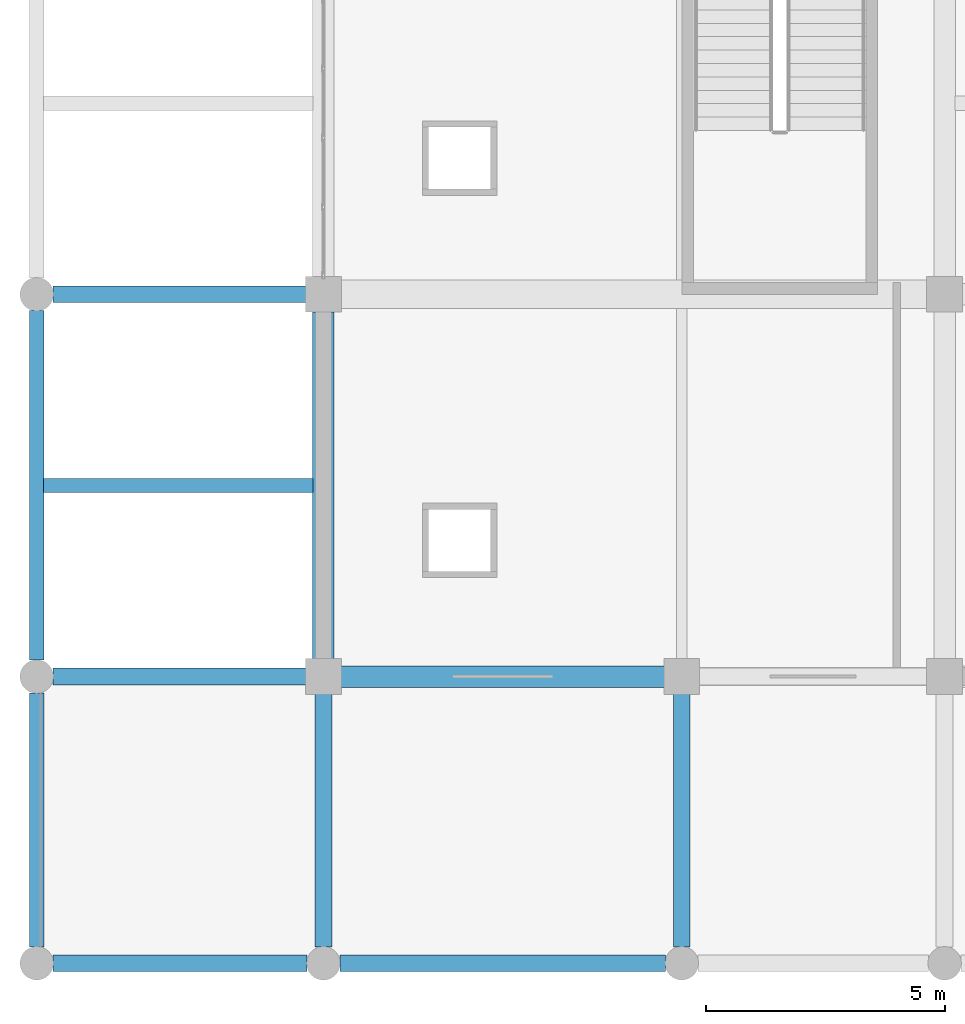
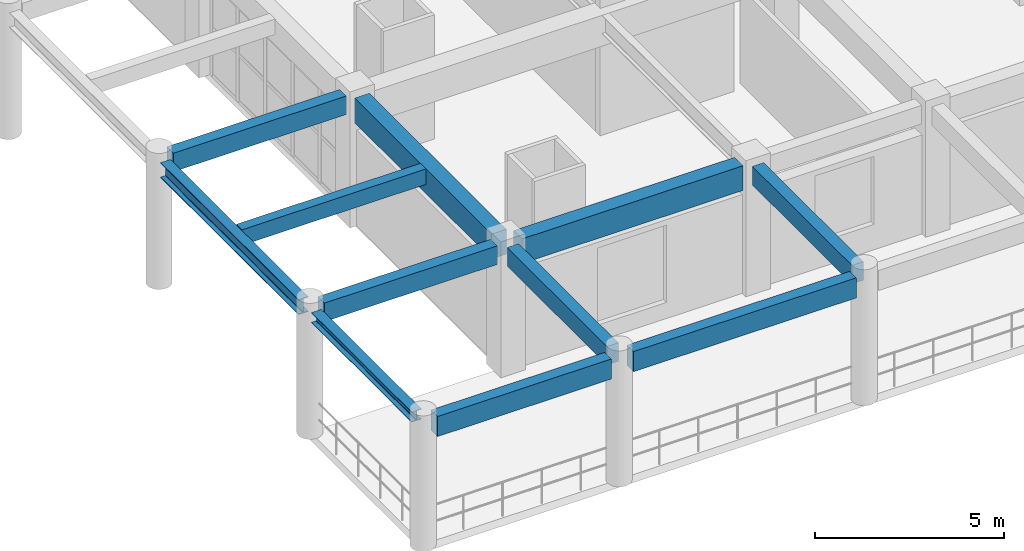
# One storey, part 3 of 116: 11 beams.
"""IFC4 building model written with IfcOpenShell, lengths in metres."""

import ifcopenshell
import ifcopenshell.guid

model = None  # the IFC model being written
_history = None  # IfcOwnerHistory: only IFC2X3 demands one
_inside = {}  # id of a spatial element -> (the spatial element, [elements in it])
_under = {}  # id of a project, library or spatial element -> (it, [spatial elements below it])
_declared = {}  # id of a project -> (the project, [libraries it declares])
_typed = {}  # id of a type object -> (the type object, [elements of that type])
_made_of = {}  # id of a material, layer set ... -> (it, [elements and type objects made of it])


def new_model(schema):
    """Start an empty IFC model of exactly this schema.

    Asked for "IFC4X3", IfcOpenShell would pick the latest addendum, in which some entities
    have other attributes; the version numbers below select the first issue.
    IFC2X3 requires an IfcOwnerHistory on every rooted entity: one is made here for all.
    """
    global model, _history
    if schema == "IFC4X3":
        model = ifcopenshell.file(schema_version=(4, 3, 0, 0))
    else:
        model = ifcopenshell.file(schema=schema)
    _inside.clear()
    _under.clear()
    _declared.clear()
    _typed.clear()
    _made_of.clear()
    _history = None
    if model.schema == "IFC2X3":
        org = make("IfcOrganization", Name="unknown")
        user = make(
            "IfcPersonAndOrganization",
            ThePerson=make("IfcPerson", FamilyName="unknown"),
            TheOrganization=org,
        )
        app = make(
            "IfcApplication",
            ApplicationDeveloper=org,
            Version="unknown",
            ApplicationFullName="unknown",
            ApplicationIdentifier="unknown",
        )
        _history = make(
            "IfcOwnerHistory",
            OwningUser=user,
            OwningApplication=app,
            ChangeAction="ADDED",
            CreationDate=0,
        )
    return model


def make(cls, **values):
    """One entity of the class cls with the attributes given. An attribute that is None is left unset."""
    return model.create_entity(
        cls, **{name: value for name, value in values.items() if value is not None}
    )


def rooted(cls, **values):
    """An entity with a GlobalId (a new one), such as an element, a storey or a relation."""
    return make(cls, GlobalId=ifcopenshell.guid.new(), OwnerHistory=_history, **values)


def si_unit(unit_type, name, prefix=None):
    """IfcSIUnit, for example si_unit("LENGTHUNIT", "METRE", prefix="MILLI")."""
    return make("IfcSIUnit", UnitType=unit_type, Prefix=prefix, Name=name)


def assignment(units):
    """IfcUnitAssignment: the units of a project."""
    return None if units is None else make("IfcUnitAssignment", Units=units)


def point(xyz):
    """IfcCartesianPoint."""
    return None if xyz is None else make("IfcCartesianPoint", Coordinates=xyz)


def direction(xyz):
    """IfcDirection."""
    return None if xyz is None else make("IfcDirection", DirectionRatios=xyz)


def frame(location, z_axis=None, x_axis=None):
    """IfcAxis2Placement3D, a coordinate frame: its origin and axes. An axis left out is left unset."""
    return make(
        "IfcAxis2Placement3D",
        Location=point(location),
        Axis=direction(z_axis),
        RefDirection=direction(x_axis),
    )


def frame_2d(location, x_axis=None):
    """IfcAxis2Placement2D, a coordinate frame in the plane: its origin and x axis."""
    return make(
        "IfcAxis2Placement2D", Location=point(location), RefDirection=direction(x_axis)
    )


def origin():
    """The frame at (0, 0, 0) with its axes left unset."""
    return frame((0.0, 0.0, 0.0))


def origin_2d():
    """The frame at (0, 0) in the plane with its x axis left unset."""
    return frame_2d((0.0, 0.0))


def place(relative_to, where):
    """IfcLocalPlacement: puts the frame where relative to a parent placement (None: the world)."""
    return make(
        "IfcLocalPlacement", PlacementRelTo=relative_to, RelativePlacement=where
    )


def context(
    kind, dimensions, precision=None, world=None, true_north=None, identifier=None
):
    """IfcGeometricRepresentationContext, for example the 3D "Model" context."""
    return make(
        "IfcGeometricRepresentationContext",
        ContextIdentifier=identifier,
        ContextType=kind,
        CoordinateSpaceDimension=dimensions,
        Precision=precision,
        WorldCoordinateSystem=world,
        TrueNorth=true_north,
    )


def subcontext(parent, identifier, kind, view, scale=None):
    """IfcGeometricRepresentationSubContext, for example "Body" below "Model"."""
    return make(
        "IfcGeometricRepresentationSubContext",
        ContextIdentifier=identifier,
        ContextType=kind,
        ParentContext=parent,
        TargetScale=scale,
        TargetView=view,
    )


def project(units=None, contexts=None):
    """IfcProject with its units and contexts."""
    return rooted(
        "IfcProject",
        Name="project",
        RepresentationContexts=contexts,
        UnitsInContext=assignment(units),
    )


def spatial(cls, under=None, at=None, **own):
    """A site, building, storey or space (cls), placed at a placement, below another one or the project."""
    s = rooted(cls, ObjectPlacement=at, **own)
    if under is not None:
        _under.setdefault(under.id(), (under, []))[1].append(s)
    return s


def profile(cls, at=None, kind="AREA", **sizes):
    """A parametric profile (cls). Its sizes go by their IFC names, for example OverallWidth=200.0."""
    return make(cls, ProfileType=kind, Position=at, **sizes)


def rectangle(**sizes):
    """IfcRectangleProfileDef."""
    return profile("IfcRectangleProfileDef", **sizes)


def i_section(**sizes):
    """IfcIShapeProfileDef."""
    return profile("IfcIShapeProfileDef", **sizes)


def extrude(swept, where, along, depth):
    """IfcExtrudedAreaSolid: the profile swept, set in the frame where, extruded along a direction by depth."""
    return make(
        "IfcExtrudedAreaSolid",
        SweptArea=swept,
        Position=where,
        ExtrudedDirection=direction(along),
        Depth=depth,
    )


def shape(context_of_items, identifier, shape_type, items):
    """IfcShapeRepresentation: the items that make up one representation, for example the "Body"."""
    return make(
        "IfcShapeRepresentation",
        ContextOfItems=context_of_items,
        RepresentationIdentifier=identifier,
        RepresentationType=shape_type,
        Items=items,
    )


def material(Name=None, Category=None):
    """IfcMaterial."""
    return make("IfcMaterial", Name=Name, Category=Category)


def material_profile(
    of_material, cross_section, Name=None, Category=None, Priority=None
):
    """IfcMaterialProfile: a cross section and its material."""
    return make(
        "IfcMaterialProfile",
        Name=Name,
        Material=of_material,
        Profile=cross_section,
        Priority=Priority,
        Category=Category,
    )


def profile_set(profiles, Name=None, composite=None):
    """IfcMaterialProfileSet."""
    return make(
        "IfcMaterialProfileSet",
        Name=Name,
        MaterialProfiles=profiles,
        CompositeProfile=composite,
    )


def made_of(thing, what):
    """Note that an element or type object is made of a material, layer set ...; save() writes the relation."""
    if what is not None:
        _made_of.setdefault(what.id(), (what, []))[1].append(thing)
    return thing


def type_object(cls, material=None, **own):
    """A type object (cls), such as IfcWallType, which elements share."""
    return made_of(rooted(cls, **own), material)


def element(
    cls,
    number,
    at=None,
    inside=None,
    cuts=None,
    type_object=None,
    material=None,
    context=None,
    identifier="Body",
    shape_type=None,
    held_by="IfcProductDefinitionShape",
    body=None,
    shapes=None,
    **own,
):
    """One element of the class cls, such as IfcWall. Its Tag is "e" and its number.

    at: its placement. inside: the storey or other place that contains it. cuts: it is an
    opening in that element (IfcRelVoidsElement). A single representation is given by context,
    identifier, shape_type and body (its items); several are given by shapes. held_by: the class
    of the entity that holds the representations. save() writes the other relations.
    """
    e = rooted(cls, Tag="e%d" % number, ObjectPlacement=at, **own)
    if body is not None:
        shapes = [shape(context, identifier, shape_type, body)]
    if shapes is not None:
        e.Representation = make(held_by, Representations=shapes)
    if inside is not None:
        _inside.setdefault(inside.id(), (inside, []))[1].append(e)
    if cuts is not None:
        rooted(
            "IfcRelVoidsElement", RelatingBuildingElement=cuts, RelatedOpeningElement=e
        )
    if type_object is not None:
        _typed.setdefault(type_object.id(), (type_object, []))[1].append(e)
    return made_of(e, material)


def aggregate(whole, parts):
    """IfcRelAggregates: a whole, such as a stair, and the parts it consists of."""
    return rooted("IfcRelAggregates", RelatingObject=whole, RelatedObjects=parts)


def save(model, path):
    """Write the relations noted so far, then the file.

    IfcRelAggregates (storeys below a building ...), IfcRelContainedInSpatialStructure (elements
    in a storey), IfcRelDefinesByType, IfcRelAssociatesMaterial and IfcRelDeclares: one each for
    every whole, place, type object, material and project.
    """
    for whole, parts in _under.values():
        aggregate(whole, parts)
    for where, things in _inside.values():
        rooted(
            "IfcRelContainedInSpatialStructure",
            RelatedElements=things,
            RelatingStructure=where,
        )
    for kind, things in _typed.values():
        rooted("IfcRelDefinesByType", RelatedObjects=things, RelatingType=kind)
    for what, things in _made_of.values():
        rooted("IfcRelAssociatesMaterial", RelatedObjects=things, RelatingMaterial=what)
    for by, libraries in _declared.values():
        rooted("IfcRelDeclares", RelatingContext=by, RelatedDefinitions=libraries)
    model.write(path)


model = new_model("IFC4")

# Units and contexts
model_context = context("Model", 3, precision=1e-05, world=origin(), true_north=direction((0.0, 1.0)))
body_context = subcontext(model_context, "Body", "Model", "MODEL_VIEW")
ifc_project = project(units=[si_unit("LENGTHUNIT", "METRE"), si_unit("AREAUNIT", "SQUARE_METRE"), si_unit("VOLUMEUNIT", "CUBIC_METRE"), si_unit("PLANEANGLEUNIT", "RADIAN"), si_unit("MASSUNIT", "GRAM", prefix="KILO")], contexts=[model_context])

# Site, building, storey
site_placement = place(None, origin())
site = spatial("IfcSite", under=ifc_project, at=site_placement, CompositionType="ELEMENT")
building_placement = place(site_placement, origin())
building = spatial("IfcBuilding", under=site, at=building_placement, Name="Muzn Square Opera House", CompositionType="ELEMENT")
storey_placement = place(building_placement, frame((0.0, 0.0, 5.39990234375)))
storey = spatial("IfcBuildingStorey", under=building, at=storey_placement, Name="L01", CompositionType="ELEMENT", Elevation=5.39990234375)

# Beams
ifc_material_1 = material(Name="Concrete C40/50", Category="concrete")
ifc_material_profile_1 = material_profile(ifc_material_1, rectangle(XDim=0.300048828125, YDim=0.5, at=origin_2d()), Name="RCJ 300x500", Category="concrete")
ifc_profile_set_1 = profile_set([ifc_material_profile_1], Name="Concrete C40/50")
beam_type_1 = type_object("IfcBeamType", Name="Floor Joist 300x500", PredefinedType="JOIST", material=ifc_profile_set_1)
beam_1_placement = place(storey_placement, frame((0.14208984375, 10.0, 3.900146484375), z_axis=(1.0, 0.0, 0.0), x_axis=(0.0, 1.0, 0.0)))
element("IfcBeam", 1, at=beam_1_placement, inside=storey, type_object=beam_type_1, Name="Floor Joist BM-L01-BM-J500-1_100_58_100-1799", PredefinedType="JOIST", context=body_context, shape_type="SweptSolid", body=[
    extrude(rectangle(XDim=0.300048828125, YDim=0.5, at=origin_2d()), origin(), (0.0, 0.0, 1.0), 5.640869140625),
])
ifc_material_profile_2 = material_profile(ifc_material_1, rectangle(XDim=0.35009765625, YDim=0.60009765625, at=origin_2d()), Name="RCB 350x600", Category="concrete")
ifc_profile_set_2 = profile_set([ifc_material_profile_2], Name="Concrete C40/50")
beam_type_2 = type_object("IfcBeamType", Name="Primary Girder 350x600", PredefinedType="BEAM", material=ifc_profile_set_2)
for number, where, z_axis, x_axis, name in (
    (2, (0.342041015625, 6.0, 3.85009765625), (1.0, 0.0, 0.0), (0.0, 1.0, 0.0), "Primary Girder BM-L01-BM-PG600-3_60_56_60-1249"),
    (3, (0.342041015625, 14.0, 3.85009765625), (1.0, 0.0, 0.0), (0.0, 1.0, 0.0), "Primary Girder BM-L01-BM-PG600-3_140_56_140-1263"),
    (4, (6.0, 0.342041015625, 3.85009765625), (0.0, 1.0, 0.0), (-1.0, 0.0, 0.0), "Primary Girder BM-L01-BM-PG600-60_3_60_56-1525"),
    (5, (13.5, 0.342041015625, 3.85009765625), (0.0, 1.0, 0.0), (-1.0, 0.0, 0.0), "Primary Girder BM-L01-BM-PG600-135_3_135_56-1542"),
):
    element("IfcBeam", number, at=place(storey_placement, frame(where, z_axis=z_axis, x_axis=x_axis)), inside=storey, type_object=beam_type_2, Name=name, PredefinedType="BEAM", context=body_context, shape_type="SweptSolid", body=[
        extrude(rectangle(XDim=0.35009765625, YDim=0.60009765625, at=origin_2d()), origin(), (0.0, 0.0, 1.0), 5.291015625),
    ])
ifc_material_profile_3 = material_profile(ifc_material_1, rectangle(XDim=0.449951171875, YDim=0.800048828125, at=origin_2d()), Name="RCB 450x800", Category="concrete")
ifc_profile_set_3 = profile_set([ifc_material_profile_3], Name="Concrete C40/50")
beam_type_3 = type_object("IfcBeamType", Name="Primary Girder 450x800", PredefinedType="BEAM", material=ifc_profile_set_3)
beam_2_placement = place(storey_placement, frame((6.366943359375, 6.0, 3.75), z_axis=(1.0, 0.0, 0.0), x_axis=(0.0, 1.0, 0.0)))
element("IfcBeam", 6, at=beam_2_placement, inside=storey, type_object=beam_type_3, Name="Primary Girder BM-L01-BM-PG800-64_60_131_60-1250", PredefinedType="BEAM", context=body_context, shape_type="SweptSolid", body=[
    extrude(rectangle(XDim=0.449951171875, YDim=0.800048828125, at=origin_2d()), origin(), (0.0, 0.0, 1.0), 6.76611328125),
])
beam_3_placement = place(storey_placement, frame((6.0, 6.366943359375, 3.75), z_axis=(0.0, 1.0, 0.0), x_axis=(-1.0, 0.0, 0.0)))
element("IfcBeam", 7, at=beam_3_placement, inside=storey, type_object=beam_type_3, Name="Primary Girder BM-L01-BM-PG800-60_64_60_136-1526", PredefinedType="BEAM", context=body_context, shape_type="SweptSolid", body=[
    extrude(rectangle(XDim=0.449951171875, YDim=0.800048828125, at=origin_2d()), origin(), (0.0, 0.0, 1.0), 7.26611328125),
])
ifc_material_profile_4 = material_profile(ifc_material_1, rectangle(XDim=0.35009765625, YDim=0.64990234375, at=origin_2d()), Name="RCS 350x650", Category="concrete")
ifc_profile_set_4 = profile_set([ifc_material_profile_4], Name="Concrete C40/50")
beam_type_4 = type_object("IfcBeamType", Name="Spandrel Beam 350x650", PredefinedType="SPANDREL", material=ifc_profile_set_4)
beam_4_placement = place(storey_placement, frame((0.342041015625, 0.0, 3.795166015625), z_axis=(1.0, 0.0, 0.0), x_axis=(0.0, 1.0, 0.0)))
element("IfcBeam", 8, at=beam_4_placement, inside=storey, type_object=beam_type_4, Name="Spandrel Beam BM-L01-BM-SP650-3_0_57_0-1235", PredefinedType="SPANDREL", context=body_context, shape_type="SweptSolid", body=[
    extrude(rectangle(XDim=0.35009765625, YDim=0.64990234375, at=origin_2d()), origin(), (0.0, 0.0, 1.0), 5.31591796875),
])
beam_5_placement = place(storey_placement, frame((6.342041015625, 0.0, 3.795166015625), z_axis=(1.0, 0.0, 0.0), x_axis=(0.0, 1.0, 0.0)))
element("IfcBeam", 9, at=beam_5_placement, inside=storey, type_object=beam_type_4, Name="Spandrel Beam BM-L01-BM-SP650-63_0_132_0-1236", PredefinedType="SPANDREL", context=body_context, shape_type="SweptSolid", body=[
    extrude(rectangle(XDim=0.35009765625, YDim=0.64990234375, at=origin_2d()), origin(), (0.0, 0.0, 1.0), 6.81591796875),
])
ifc_material_2 = material(Name="Steel S355", Category="steel")
ifc_material_profile_5 = material_profile(ifc_material_2, i_section(OverallWidth=0.300048828125, OverallDepth=0.330078125, WebThickness=0.009521484375, FlangeThickness=0.0166015625, FilletRadius=0.027099609375, at=origin_2d()), Name="HEA 340", Category="steel")
ifc_profile_set_5 = profile_set([ifc_material_profile_5], Name="Steel S355")
beam_type_5 = type_object("IfcBeamType", Name="Steel Spandrel Beam HEA340", PredefinedType="SPANDREL", material=ifc_profile_set_5)
beam_6_placement = place(storey_placement, frame((0.0, 0.342041015625, 3.955078125), z_axis=(0.0, 1.0, 0.0), x_axis=(-1.0, 0.0, 0.0)))
element("IfcBeam", 10, at=beam_6_placement, inside=storey, type_object=beam_type_5, Name="Spandrel Beam BM-L01-BM-SSP340-0_3_0_57-1508", PredefinedType="SPANDREL", context=body_context, shape_type="SweptSolid", body=[
    extrude(i_section(OverallWidth=0.300048828125, OverallDepth=0.330078125, WebThickness=0.009521484375, FlangeThickness=0.0166015625, FilletRadius=0.027099609375, at=origin_2d()), origin(), (0.0, 0.0, 1.0), 5.31591796875),
])
ifc_material_profile_6 = material_profile(ifc_material_2, i_section(OverallWidth=0.300048828125, OverallDepth=0.489990234375, WebThickness=0.011962890625, FlangeThickness=0.02294921875, FilletRadius=0.027099609375, at=origin_2d()), Name="HEA 500", Category="steel")
ifc_profile_set_6 = profile_set([ifc_material_profile_6], Name="Steel S355")
beam_type_6 = type_object("IfcBeamType", Name="Steel Spandrel Beam HEA500", PredefinedType="SPANDREL", material=ifc_profile_set_6)
beam_7_placement = place(storey_placement, frame((0.0, 6.342041015625, 3.875), z_axis=(0.0, 1.0, 0.0), x_axis=(-1.0, 0.0, 0.0)))
element("IfcBeam", 11, at=beam_7_placement, inside=storey, type_object=beam_type_6, Name="Spandrel Beam BM-L01-BM-SSP500-0_63_0_137-1509", PredefinedType="SPANDREL", context=body_context, shape_type="SweptSolid", body=[
    extrude(i_section(OverallWidth=0.300048828125, OverallDepth=0.489990234375, WebThickness=0.011962890625, FlangeThickness=0.02294921875, FilletRadius=0.027099609375, at=origin_2d()), origin(), (0.0, 0.0, 1.0), 7.31591796875),
])

save(model, "model.ifc")
